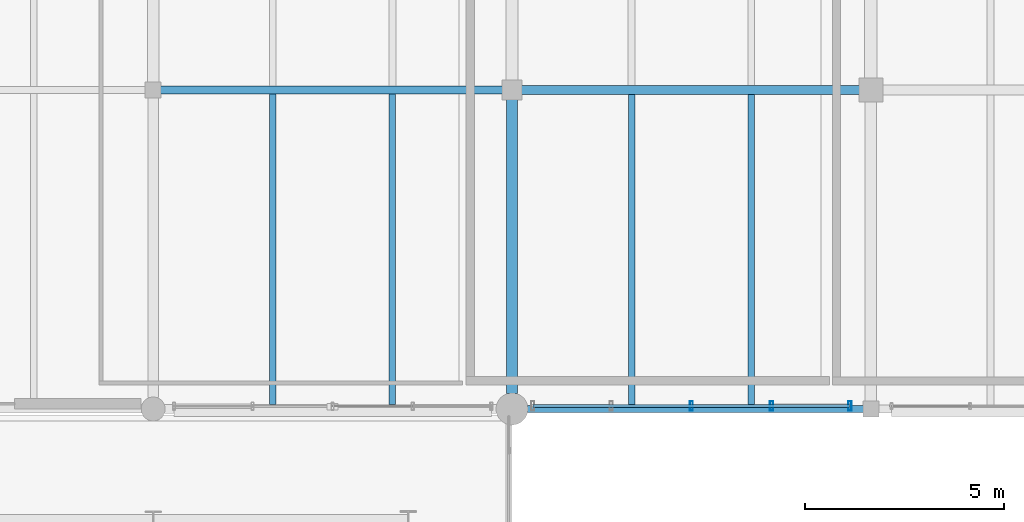
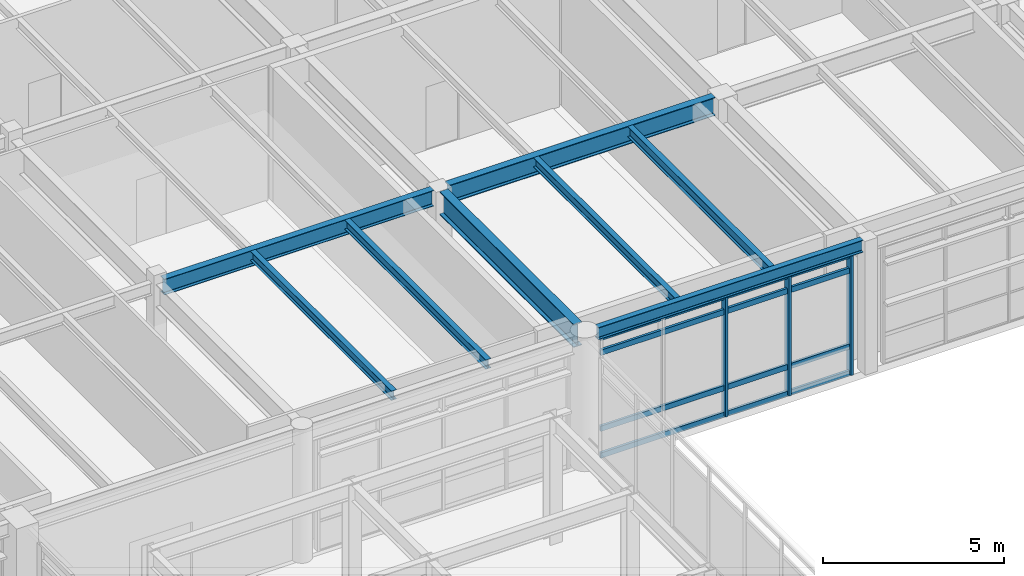
# One storey, part 78 of 200: 8 beams, 7 members, 1 element without a shape of its own.
"""IFC4 building model written with IfcOpenShell, lengths in metres."""

import ifcopenshell
import ifcopenshell.guid

model = None  # the IFC model being written
_history = None  # IfcOwnerHistory: only IFC2X3 demands one
_inside = {}  # id of a spatial element -> (the spatial element, [elements in it])
_under = {}  # id of a project, library or spatial element -> (it, [spatial elements below it])
_declared = {}  # id of a project -> (the project, [libraries it declares])
_typed = {}  # id of a type object -> (the type object, [elements of that type])
_made_of = {}  # id of a material, layer set ... -> (it, [elements and type objects made of it])


def new_model(schema):
    """Start an empty IFC model of exactly this schema.

    Asked for "IFC4X3", IfcOpenShell would pick the latest addendum, in which some entities
    have other attributes; the version numbers below select the first issue.
    IFC2X3 requires an IfcOwnerHistory on every rooted entity: one is made here for all.
    """
    global model, _history
    if schema == "IFC4X3":
        model = ifcopenshell.file(schema_version=(4, 3, 0, 0))
    else:
        model = ifcopenshell.file(schema=schema)
    _inside.clear()
    _under.clear()
    _declared.clear()
    _typed.clear()
    _made_of.clear()
    _history = None
    if model.schema == "IFC2X3":
        org = make("IfcOrganization", Name="unknown")
        user = make(
            "IfcPersonAndOrganization",
            ThePerson=make("IfcPerson", FamilyName="unknown"),
            TheOrganization=org,
        )
        app = make(
            "IfcApplication",
            ApplicationDeveloper=org,
            Version="unknown",
            ApplicationFullName="unknown",
            ApplicationIdentifier="unknown",
        )
        _history = make(
            "IfcOwnerHistory",
            OwningUser=user,
            OwningApplication=app,
            ChangeAction="ADDED",
            CreationDate=0,
        )
    return model


def make(cls, **values):
    """One entity of the class cls with the attributes given. An attribute that is None is left unset."""
    return model.create_entity(
        cls, **{name: value for name, value in values.items() if value is not None}
    )


def rooted(cls, **values):
    """An entity with a GlobalId (a new one), such as an element, a storey or a relation."""
    return make(cls, GlobalId=ifcopenshell.guid.new(), OwnerHistory=_history, **values)


def si_unit(unit_type, name, prefix=None):
    """IfcSIUnit, for example si_unit("LENGTHUNIT", "METRE", prefix="MILLI")."""
    return make("IfcSIUnit", UnitType=unit_type, Prefix=prefix, Name=name)


def assignment(units):
    """IfcUnitAssignment: the units of a project."""
    return None if units is None else make("IfcUnitAssignment", Units=units)


def point(xyz):
    """IfcCartesianPoint."""
    return None if xyz is None else make("IfcCartesianPoint", Coordinates=xyz)


def direction(xyz):
    """IfcDirection."""
    return None if xyz is None else make("IfcDirection", DirectionRatios=xyz)


def frame(location, z_axis=None, x_axis=None):
    """IfcAxis2Placement3D, a coordinate frame: its origin and axes. An axis left out is left unset."""
    return make(
        "IfcAxis2Placement3D",
        Location=point(location),
        Axis=direction(z_axis),
        RefDirection=direction(x_axis),
    )


def frame_2d(location, x_axis=None):
    """IfcAxis2Placement2D, a coordinate frame in the plane: its origin and x axis."""
    return make(
        "IfcAxis2Placement2D", Location=point(location), RefDirection=direction(x_axis)
    )


def origin():
    """The frame at (0, 0, 0) with its axes left unset."""
    return frame((0.0, 0.0, 0.0))


def origin_2d():
    """The frame at (0, 0) in the plane with its x axis left unset."""
    return frame_2d((0.0, 0.0))


def place(relative_to, where):
    """IfcLocalPlacement: puts the frame where relative to a parent placement (None: the world)."""
    return make(
        "IfcLocalPlacement", PlacementRelTo=relative_to, RelativePlacement=where
    )


def context(
    kind, dimensions, precision=None, world=None, true_north=None, identifier=None
):
    """IfcGeometricRepresentationContext, for example the 3D "Model" context."""
    return make(
        "IfcGeometricRepresentationContext",
        ContextIdentifier=identifier,
        ContextType=kind,
        CoordinateSpaceDimension=dimensions,
        Precision=precision,
        WorldCoordinateSystem=world,
        TrueNorth=true_north,
    )


def subcontext(parent, identifier, kind, view, scale=None):
    """IfcGeometricRepresentationSubContext, for example "Body" below "Model"."""
    return make(
        "IfcGeometricRepresentationSubContext",
        ContextIdentifier=identifier,
        ContextType=kind,
        ParentContext=parent,
        TargetScale=scale,
        TargetView=view,
    )


def project(units=None, contexts=None):
    """IfcProject with its units and contexts."""
    return rooted(
        "IfcProject",
        Name="project",
        RepresentationContexts=contexts,
        UnitsInContext=assignment(units),
    )


def spatial(cls, under=None, at=None, **own):
    """A site, building, storey or space (cls), placed at a placement, below another one or the project."""
    s = rooted(cls, ObjectPlacement=at, **own)
    if under is not None:
        _under.setdefault(under.id(), (under, []))[1].append(s)
    return s


def profile(cls, at=None, kind="AREA", **sizes):
    """A parametric profile (cls). Its sizes go by their IFC names, for example OverallWidth=200.0."""
    return make(cls, ProfileType=kind, Position=at, **sizes)


def hollow_rectangle(**sizes):
    """IfcRectangleHollowProfileDef."""
    return profile("IfcRectangleHollowProfileDef", **sizes)


def i_section(**sizes):
    """IfcIShapeProfileDef."""
    return profile("IfcIShapeProfileDef", **sizes)


def extrude(swept, where, along, depth):
    """IfcExtrudedAreaSolid: the profile swept, set in the frame where, extruded along a direction by depth."""
    return make(
        "IfcExtrudedAreaSolid",
        SweptArea=swept,
        Position=where,
        ExtrudedDirection=direction(along),
        Depth=depth,
    )


def shape(context_of_items, identifier, shape_type, items):
    """IfcShapeRepresentation: the items that make up one representation, for example the "Body"."""
    return make(
        "IfcShapeRepresentation",
        ContextOfItems=context_of_items,
        RepresentationIdentifier=identifier,
        RepresentationType=shape_type,
        Items=items,
    )


def material(Name=None, Category=None):
    """IfcMaterial."""
    return make("IfcMaterial", Name=Name, Category=Category)


def material_profile(
    of_material, cross_section, Name=None, Category=None, Priority=None
):
    """IfcMaterialProfile: a cross section and its material."""
    return make(
        "IfcMaterialProfile",
        Name=Name,
        Material=of_material,
        Profile=cross_section,
        Priority=Priority,
        Category=Category,
    )


def profile_set(profiles, Name=None, composite=None):
    """IfcMaterialProfileSet."""
    return make(
        "IfcMaterialProfileSet",
        Name=Name,
        MaterialProfiles=profiles,
        CompositeProfile=composite,
    )


def made_of(thing, what):
    """Note that an element or type object is made of a material, layer set ...; save() writes the relation."""
    if what is not None:
        _made_of.setdefault(what.id(), (what, []))[1].append(thing)
    return thing


def type_object(cls, material=None, **own):
    """A type object (cls), such as IfcWallType, which elements share."""
    return made_of(rooted(cls, **own), material)


def element(
    cls,
    number,
    at=None,
    inside=None,
    cuts=None,
    type_object=None,
    material=None,
    context=None,
    identifier="Body",
    shape_type=None,
    held_by="IfcProductDefinitionShape",
    body=None,
    shapes=None,
    **own,
):
    """One element of the class cls, such as IfcWall. Its Tag is "e" and its number.

    at: its placement. inside: the storey or other place that contains it. cuts: it is an
    opening in that element (IfcRelVoidsElement). A single representation is given by context,
    identifier, shape_type and body (its items); several are given by shapes. held_by: the class
    of the entity that holds the representations. save() writes the other relations.
    """
    e = rooted(cls, Tag="e%d" % number, ObjectPlacement=at, **own)
    if body is not None:
        shapes = [shape(context, identifier, shape_type, body)]
    if shapes is not None:
        e.Representation = make(held_by, Representations=shapes)
    if inside is not None:
        _inside.setdefault(inside.id(), (inside, []))[1].append(e)
    if cuts is not None:
        rooted(
            "IfcRelVoidsElement", RelatingBuildingElement=cuts, RelatedOpeningElement=e
        )
    if type_object is not None:
        _typed.setdefault(type_object.id(), (type_object, []))[1].append(e)
    return made_of(e, material)


def aggregate(whole, parts):
    """IfcRelAggregates: a whole, such as a stair, and the parts it consists of."""
    return rooted("IfcRelAggregates", RelatingObject=whole, RelatedObjects=parts)


def save(model, path):
    """Write the relations noted so far, then the file.

    IfcRelAggregates (storeys below a building ...), IfcRelContainedInSpatialStructure (elements
    in a storey), IfcRelDefinesByType, IfcRelAssociatesMaterial and IfcRelDeclares: one each for
    every whole, place, type object, material and project.
    """
    for whole, parts in _under.values():
        aggregate(whole, parts)
    for where, things in _inside.values():
        rooted(
            "IfcRelContainedInSpatialStructure",
            RelatedElements=things,
            RelatingStructure=where,
        )
    for kind, things in _typed.values():
        rooted("IfcRelDefinesByType", RelatedObjects=things, RelatingType=kind)
    for what, things in _made_of.values():
        rooted("IfcRelAssociatesMaterial", RelatedObjects=things, RelatingMaterial=what)
    for by, libraries in _declared.values():
        rooted("IfcRelDeclares", RelatingContext=by, RelatedDefinitions=libraries)
    model.write(path)


model = new_model("IFC4")

# Units and contexts
model_context = context("Model", 3, precision=1e-05, world=origin(), true_north=direction((0.0, 1.0)))
body_context = subcontext(model_context, "Body", "Model", "MODEL_VIEW")
ifc_project = project(units=[si_unit("LENGTHUNIT", "METRE"), si_unit("AREAUNIT", "SQUARE_METRE"), si_unit("VOLUMEUNIT", "CUBIC_METRE"), si_unit("PLANEANGLEUNIT", "RADIAN"), si_unit("MASSUNIT", "GRAM", prefix="KILO"), si_unit("THERMODYNAMICTEMPERATUREUNIT", "KELVIN"), si_unit("POWERUNIT", "WATT")], contexts=[model_context])

# Site, building, storey
site_placement = place(None, origin())
site = spatial("IfcSite", under=ifc_project, at=site_placement, CompositionType="ELEMENT")
building_placement = place(site_placement, origin())
building = spatial("IfcBuilding", under=site, at=building_placement, Name="Tepalcoro Natatorium and Aquatics Centre", CompositionType="ELEMENT")
storey_placement = place(building_placement, frame((0.0, 0.0, 5.39990234375)))
storey = spatial("IfcBuildingStorey", under=building, at=storey_placement, Name="L01", CompositionType="ELEMENT", Elevation=5.39990234375)

# Beams
ifc_material_1 = material(Name="Steel ASTM A992 Grade 50 (Fy 345 MPa)", Category="steel")
ifc_material_profile_1 = material_profile(ifc_material_1, i_section(OverallWidth=0.2099609375, OverallDepth=0.532958984375, WebThickness=0.010009765625, FlangeThickness=0.01611328125, FilletRadius=0.013916015625, at=origin_2d()), Name="W21X62")
ifc_profile_set_1 = profile_set([ifc_material_profile_1], Name="Steel ASTM A992 Grade 50 (Fy 345 MPa)")
beam_type_1 = type_object("IfcBeamType", Name="BM_W21x62", PredefinedType="BEAM", material=ifc_profile_set_1)
beam_1_placement = place(storey_placement, frame((62.18505859375, 94.0, 4.218505859375), z_axis=(1.0, 0.0, 0.0), x_axis=(0.0, 1.0, 0.0)))
element("IfcBeam", 1, at=beam_1_placement, inside=storey, type_object=beam_type_1, Name="V4 L01 Grid Girder X", PredefinedType="BEAM", context=body_context, shape_type="SweptSolid", body=[
    extrude(i_section(OverallWidth=0.2099609375, OverallDepth=0.532958984375, WebThickness=0.010009765625, FlangeThickness=0.01611328125, FilletRadius=0.013916015625, at=origin_2d()), origin(), (0.0, 0.0, 1.0), 8.579833984375),
])
ifc_material_profile_2 = material_profile(ifc_material_1, i_section(OverallWidth=0.22998046875, OverallDepth=0.616943359375, WebThickness=0.012939453125, FlangeThickness=0.02197265625, FilletRadius=0.013916015625, at=origin_2d()), Name="W24X94")
ifc_profile_set_2 = profile_set([ifc_material_profile_2], Name="Steel ASTM A992 Grade 50 (Fy 345 MPa)")
beam_type_2 = type_object("IfcBeamType", Name="BM_W24x94", PredefinedType="BEAM", material=ifc_profile_set_2)
beam_2_placement = place(storey_placement, frame((71.235107421875, 94.0, 4.176513671875), z_axis=(1.0, 0.0, 0.0), x_axis=(0.0, 1.0, 0.0)))
element("IfcBeam", 2, at=beam_2_placement, inside=storey, type_object=beam_type_2, Name="V4 L01 Grid Girder X", PredefinedType="BEAM", context=body_context, shape_type="SweptSolid", body=[
    extrude(i_section(OverallWidth=0.22998046875, OverallDepth=0.616943359375, WebThickness=0.012939453125, FlangeThickness=0.02197265625, FilletRadius=0.013916015625, at=origin_2d()), origin(), (0.0, 0.0, 1.0), 8.47998046875),
])
ifc_material_profile_3 = material_profile(ifc_material_1, i_section(OverallWidth=0.26708984375, OverallDepth=0.780029296875, WebThickness=0.01708984375, FlangeThickness=0.030029296875, FilletRadius=0.013916015625, at=origin_2d()), Name="W30X148")
ifc_profile_set_3 = profile_set([ifc_material_profile_3], Name="Steel ASTM A992 Grade 50 (Fy 345 MPa)")
beam_type_3 = type_object("IfcBeamType", Name="BM_W30x148", PredefinedType="BEAM", material=ifc_profile_set_3)
beam_3_placement = place(storey_placement, frame((71.0, 86.385009765625, 4.09521484375), z_axis=(0.0, 1.0, 0.0), x_axis=(-1.0, 0.0, 0.0)))
element("IfcBeam", 3, at=beam_3_placement, inside=storey, type_object=beam_type_3, Name="V4 L01 Grid Girder Y", PredefinedType="BEAM", context=body_context, shape_type="SweptSolid", body=[
    extrude(i_section(OverallWidth=0.26708984375, OverallDepth=0.780029296875, WebThickness=0.01708984375, FlangeThickness=0.030029296875, FilletRadius=0.013916015625, at=origin_2d()), origin(), (0.0, 0.0, 1.0), 7.3798828125),
])

# Curtain wall, members
ifc_material_2 = material(Name="Bronze-Anodised Extruded Aluminium Alloy EN AW-6063 T6", Category="aluminium")
curtain_wall_type = type_object("IfcCurtainWallType", Name="CW_LEAN_T2_NS", PredefinedType="USERDEFINED", material=ifc_material_2)
curtain_wall_placement = place(storey_placement, origin())
curtain_wall = element("IfcCurtainWall", 4, at=curtain_wall_placement, inside=storey, type_object=curtain_wall_type, Name="V4 L01 S Unitised Curtain Wall Bay 8", ObjectType="FACETED SOLAR GLAZING", PredefinedType="USERDEFINED")
ifc_material_profile_4 = material_profile(ifc_material_2, hollow_rectangle(XDim=0.080078125, YDim=0.239990234375, WallThickness=0.0048828125, at=origin_2d()), Name="AL80X240X5")
ifc_profile_set_4 = profile_set([ifc_material_profile_4], Name="Bronze-Anodised Extruded Aluminium Alloy EN AW-6063 T6")
member_type_1 = type_object("IfcMemberType", Name="CW_MUL_80x240", PredefinedType="MULLION", material=ifc_profile_set_4)
member_1_placement = place(storey_placement, frame((75.5, 86.076171875, 0.02001953125), z_axis=(0.0, 0.0, 1.0), x_axis=(1.0, 0.0, 0.0)))
member_1 = element("IfcMember", 5, at=member_1_placement, type_object=member_type_1, Name="CW_LEAN_T2_NS Curtain Wall Mullion", PredefinedType="MULLION", context=body_context, shape_type="SweptSolid", body=[
    extrude(hollow_rectangle(XDim=0.080078125, YDim=0.239990234375, WallThickness=0.0048828125, at=origin_2d()), origin(), (0.0, 0.0, 1.0), 4.01708984375),
])
member_2_placement = place(storey_placement, frame((77.510009765625, 86.076171875, 0.02001953125), z_axis=(0.0, 0.0, 1.0), x_axis=(1.0, 0.0, 0.0)))
member_2 = element("IfcMember", 6, at=member_2_placement, type_object=member_type_1, Name="CW_LEAN_T2_NS Curtain Wall Mullion", PredefinedType="MULLION", context=body_context, shape_type="SweptSolid", body=[
    extrude(hollow_rectangle(XDim=0.080078125, YDim=0.239990234375, WallThickness=0.0048828125, at=origin_2d()), origin(), (0.0, 0.0, 1.0), 4.01708984375),
])
member_3_placement = place(storey_placement, frame((79.47998046875, 86.076171875, 0.02001953125), z_axis=(0.0, 0.0, 1.0), x_axis=(1.0, 0.0, 0.0)))
member_3 = element("IfcMember", 7, at=member_3_placement, type_object=member_type_1, Name="CW_LEAN_T2_NS Curtain Wall Mullion", PredefinedType="MULLION", context=body_context, shape_type="SweptSolid", body=[
    extrude(hollow_rectangle(XDim=0.080078125, YDim=0.239990234375, WallThickness=0.0048828125, at=origin_2d()), origin(), (0.0, 0.0, 1.0), 4.01708984375),
])
ifc_material_profile_5 = material_profile(ifc_material_2, hollow_rectangle(XDim=0.080078125, YDim=0.179931640625, WallThickness=0.0048828125, at=origin_2d()), Name="AL80X180X5")
ifc_profile_set_5 = profile_set([ifc_material_profile_5], Name="Bronze-Anodised Extruded Aluminium Alloy EN AW-6063 T6")
member_type_2 = type_object("IfcMemberType", Name="CW_TRN_80x180", PredefinedType="USERDEFINED", material=ifc_profile_set_5)
member_4_placement = place(storey_placement, frame((71.530029296875, 86.076171875, 0.050048828125), z_axis=(1.0, 0.0, 0.0), x_axis=(0.0, 1.0, 0.0)))
member_4 = element("IfcMember", 8, at=member_4_placement, type_object=member_type_2, Name="CW_LEAN_T2_NS Curtain Wall Transom", ObjectType="TRANSOM", PredefinedType="USERDEFINED", context=body_context, shape_type="SweptSolid", body=[
    extrude(hollow_rectangle(XDim=0.080078125, YDim=0.179931640625, WallThickness=0.0048828125, at=origin_2d()), origin(), (0.0, 0.0, 1.0), 7.93994140625),
])
member_5_placement = place(storey_placement, frame((71.530029296875, 86.076171875, 0.9501953125), z_axis=(1.0, 0.0, 0.0), x_axis=(0.0, 1.0, 0.0)))
member_5 = element("IfcMember", 9, at=member_5_placement, type_object=member_type_2, Name="CW_LEAN_T2_NS Curtain Wall Transom", ObjectType="TRANSOM", PredefinedType="USERDEFINED", context=body_context, shape_type="SweptSolid", body=[
    extrude(hollow_rectangle(XDim=0.080078125, YDim=0.179931640625, WallThickness=0.0048828125, at=origin_2d()), origin(), (0.0, 0.0, 1.0), 7.93994140625),
])
member_6_placement = place(storey_placement, frame((71.530029296875, 86.076171875, 3.507080078125), z_axis=(1.0, 0.0, 0.0), x_axis=(0.0, 1.0, 0.0)))
member_6 = element("IfcMember", 10, at=member_6_placement, type_object=member_type_2, Name="CW_LEAN_T2_NS Curtain Wall Transom", ObjectType="TRANSOM", PredefinedType="USERDEFINED", context=body_context, shape_type="SweptSolid", body=[
    extrude(hollow_rectangle(XDim=0.080078125, YDim=0.179931640625, WallThickness=0.0048828125, at=origin_2d()), origin(), (0.0, 0.0, 1.0), 7.93994140625),
])
member_7_placement = place(storey_placement, frame((71.530029296875, 86.076171875, 4.007080078125), z_axis=(1.0, 0.0, 0.0), x_axis=(0.0, 1.0, 0.0)))
member_7 = element("IfcMember", 11, at=member_7_placement, type_object=member_type_2, Name="CW_LEAN_T2_NS Curtain Wall Transom", ObjectType="TRANSOM", PredefinedType="USERDEFINED", context=body_context, shape_type="SweptSolid", body=[
    extrude(hollow_rectangle(XDim=0.080078125, YDim=0.179931640625, WallThickness=0.0048828125, at=origin_2d()), origin(), (0.0, 0.0, 1.0), 7.93994140625),
])
aggregate(curtain_wall, [member_1, member_2, member_3, member_4, member_5, member_6, member_7])

# Beams
ifc_material_profile_6 = material_profile(ifc_material_1, i_section(OverallWidth=0.1650390625, OverallDepth=0.31005859375, WebThickness=0.006103515625, FlangeThickness=0.010009765625, FilletRadius=0.013916015625, at=origin_2d()), Name="W12X26")
ifc_profile_set_6 = profile_set([ifc_material_profile_6], Name="Steel ASTM A992 Grade 50 (Fy 345 MPa)")
beam_type_4 = type_object("IfcBeamType", Name="JS_W12x26", PredefinedType="JOIST", material=ifc_profile_set_6)
beam_4_placement = place(storey_placement, frame((65.0, 86.114501953125, 4.330078125), z_axis=(0.0, 1.0, 0.0), x_axis=(-1.0, 0.0, 0.0)))
element("IfcBeam", 12, at=beam_4_placement, inside=storey, type_object=beam_type_4, Name="V4 L01 Floor Joist", PredefinedType="JOIST", context=body_context, shape_type="SweptSolid", body=[
    extrude(i_section(OverallWidth=0.1650390625, OverallDepth=0.31005859375, WebThickness=0.006103515625, FlangeThickness=0.010009765625, FilletRadius=0.013916015625, at=origin_2d()), origin(), (0.0, 0.0, 1.0), 7.780517578125),
])
ifc_material_profile_7 = material_profile(ifc_material_1, i_section(OverallWidth=0.1669921875, OverallDepth=0.318115234375, WebThickness=0.008056640625, FlangeThickness=0.012939453125, FilletRadius=0.013916015625, at=origin_2d()), Name="W12X35")
ifc_profile_set_7 = profile_set([ifc_material_profile_7], Name="Steel ASTM A992 Grade 50 (Fy 345 MPa)")
beam_type_5 = type_object("IfcBeamType", Name="JS_W12x35", PredefinedType="JOIST", material=ifc_profile_set_7)
beam_5_placement = place(storey_placement, frame((68.0, 86.114501953125, 4.326171875), z_axis=(0.0, 1.0, 0.0), x_axis=(-1.0, 0.0, 0.0)))
element("IfcBeam", 13, at=beam_5_placement, inside=storey, type_object=beam_type_5, Name="V4 L01 Floor Joist", PredefinedType="JOIST", context=body_context, shape_type="SweptSolid", body=[
    extrude(i_section(OverallWidth=0.1669921875, OverallDepth=0.318115234375, WebThickness=0.008056640625, FlangeThickness=0.012939453125, FilletRadius=0.013916015625, at=origin_2d()), origin(), (0.0, 0.0, 1.0), 7.780517578125),
])
beam_6_placement = place(storey_placement, frame((74.0, 86.090087890625, 4.326171875), z_axis=(0.0, 1.0, 0.0), x_axis=(-1.0, 0.0, 0.0)))
element("IfcBeam", 14, at=beam_6_placement, inside=storey, type_object=beam_type_5, Name="V4 L01 Floor Joist", PredefinedType="JOIST", context=body_context, shape_type="SweptSolid", body=[
    extrude(i_section(OverallWidth=0.1669921875, OverallDepth=0.318115234375, WebThickness=0.008056640625, FlangeThickness=0.012939453125, FilletRadius=0.013916015625, at=origin_2d()), origin(), (0.0, 0.0, 1.0), 7.794921875),
])
ifc_material_profile_8 = material_profile(ifc_material_1, i_section(OverallWidth=0.1708984375, OverallDepth=0.35107421875, WebThickness=0.007080078125, FlangeThickness=0.010009765625, FilletRadius=0.013916015625, at=origin_2d()), Name="W14X30")
ifc_profile_set_8 = profile_set([ifc_material_profile_8], Name="Steel ASTM A992 Grade 50 (Fy 345 MPa)")
beam_type_6 = type_object("IfcBeamType", Name="JS_W14x30", PredefinedType="JOIST", material=ifc_profile_set_8)
beam_7_placement = place(storey_placement, frame((77.0, 86.090087890625, 4.3095703125), z_axis=(0.0, 1.0, 0.0), x_axis=(-1.0, 0.0, 0.0)))
element("IfcBeam", 15, at=beam_7_placement, inside=storey, type_object=beam_type_6, Name="V4 L01 Floor Joist", PredefinedType="JOIST", context=body_context, shape_type="SweptSolid", body=[
    extrude(i_section(OverallWidth=0.1708984375, OverallDepth=0.35107421875, WebThickness=0.007080078125, FlangeThickness=0.010009765625, FilletRadius=0.013916015625, at=origin_2d()), origin(), (0.0, 0.0, 1.0), 7.794921875),
])
ifc_material_profile_9 = material_profile(ifc_material_1, i_section(OverallWidth=0.179931640625, OverallDepth=0.4130859375, WebThickness=0.010009765625, FlangeThickness=0.01611328125, FilletRadius=0.013916015625, at=origin_2d()), Name="W16X50")
ifc_profile_set_9 = profile_set([ifc_material_profile_9], Name="Steel ASTM A992 Grade 50 (Fy 345 MPa)")
beam_type_7 = type_object("IfcBeamType", Name="SP_HSS300x200x12", PredefinedType="SPANDREL", material=ifc_profile_set_9)
beam_8_placement = place(storey_placement, frame((71.385009765625, 86.0, 4.278564453125), z_axis=(1.0, 0.0, 0.0), x_axis=(0.0, 1.0, 0.0)))
element("IfcBeam", 16, at=beam_8_placement, inside=storey, type_object=beam_type_7, Name="V4 L01 Grid Girder X", PredefinedType="SPANDREL", context=body_context, shape_type="SweptSolid", body=[
    extrude(i_section(OverallWidth=0.179931640625, OverallDepth=0.4130859375, WebThickness=0.010009765625, FlangeThickness=0.01611328125, FilletRadius=0.013916015625, at=origin_2d()), origin(), (0.0, 0.0, 1.0), 8.429931640625),
])

save(model, "model.ifc")
